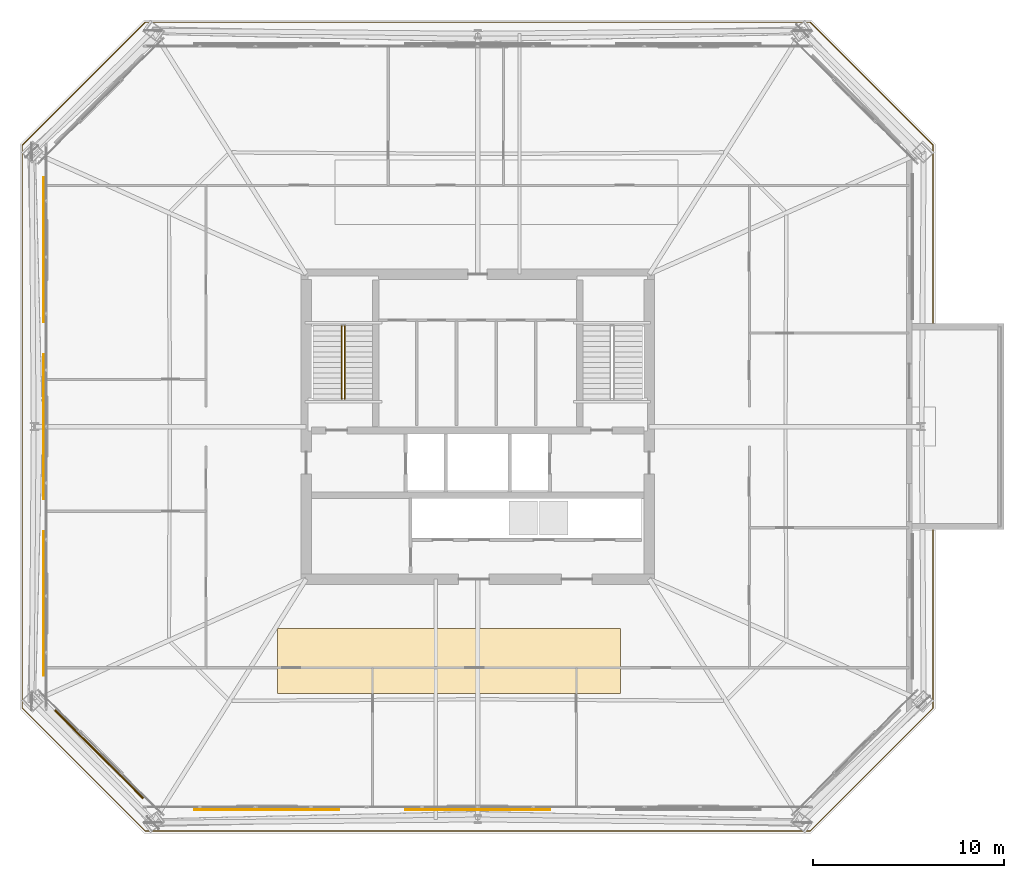
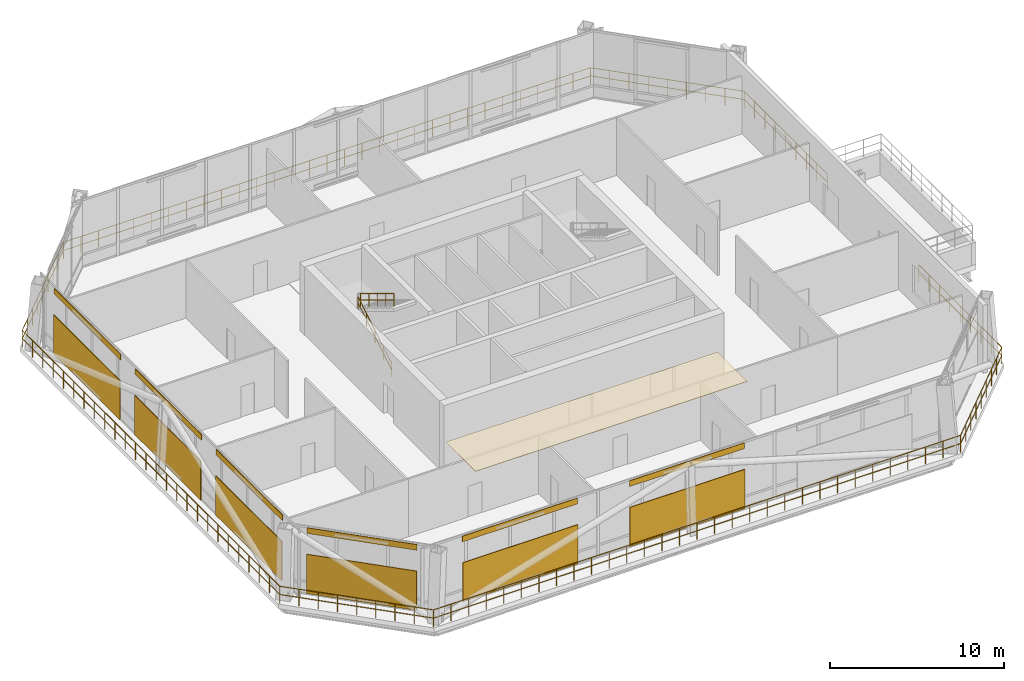
# One storey, part 31 of 34: 7 coverings, 6 shading devices, 3 railings.
"""IFC4 building model written with IfcOpenShell, lengths in metres."""

from ifc_helpers import new_model, si_unit, direction, frame, origin, origin_2d, place, context, subcontext, project, spatial, polyline, rectangle, circle, outline, extrude, material, layer, layer_set, type_object, element, save


model = new_model("IFC4")

# Units and contexts
model_context = context("Model", 3, precision=1e-05, world=origin(), true_north=direction((0.0, 1.0)))
body_context = subcontext(model_context, "Body", "Model", "MODEL_VIEW")
ifc_project = project(units=[si_unit("LENGTHUNIT", "METRE"), si_unit("AREAUNIT", "SQUARE_METRE"), si_unit("VOLUMEUNIT", "CUBIC_METRE"), si_unit("PLANEANGLEUNIT", "RADIAN"), si_unit("MASSUNIT", "GRAM", prefix="KILO")], contexts=[model_context])

# Site, building, storey
site_placement = place(None, origin())
site = spatial("IfcSite", under=ifc_project, at=site_placement, CompositionType="ELEMENT")
building_placement = place(site_placement, origin())
building = spatial("IfcBuilding", under=site, at=building_placement, Name="Caelvoria Tower", CompositionType="ELEMENT")
storey_placement = place(building_placement, frame((0.0, 0.0, 172.0)))
storey = spatial("IfcBuildingStorey", under=building, at=storey_placement, Name="L45", CompositionType="ELEMENT", Elevation=172.0)

# Coverings
ifc_material_1 = material(Name="Acoustic Mineral Fibre Tile", Category="gypsum")
ifc_layer_1 = layer(ifc_material_1, 0.02490234375, Name="Acoustic Mineral Fibre Tile")
ifc_layer_set_1 = layer_set([ifc_layer_1], Name="Mineral-Fibre Acoustic Suspended Ceiling 25 - Acoustic Mineral Fibre Tile")
covering_type_1 = type_object("IfcCoveringType", Name="Mineral-Fibre Acoustic Suspended Ceiling 25", PredefinedType="CEILING", material=ifc_layer_set_1)
covering_1_placement = place(storey_placement, frame((0.0, 0.0, 4.034912109375)))
element("IfcCovering", 1, at=covering_1_placement, inside=storey, type_object=covering_type_1, Name="Suspended Acoustic Ceiling L45", PredefinedType="CEILING", context=body_context, shape_type="SweptSolid", body=[
    extrude(outline(polyline([(35.5, 18.0), (53.5, 18.0), (53.5, 21.39990234375), (35.5, 21.39990234375), (35.5, 18.0)])), origin(), (0.0, 0.0, 1.0), 0.025146484375),
])
ifc_material_2 = material(Name="Perforated Architectural Bronze Cladding Screen", Category="bronze")
ifc_layer_2 = layer(ifc_material_2, 0.0400390625, Name="Perforated Architectural Bronze Cladding Screen")
ifc_layer_set_2 = layer_set([ifc_layer_2], Name="Perforated Bronze Louvre Cladding Band 40 - Perforated Architectural Bronze Cladding Screen")
covering_type_2 = type_object("IfcCoveringType", Name="Perforated Bronze Louvre Cladding Band 40", PredefinedType="CLADDING", material=ifc_layer_set_2)
for number, where, z_axis, x_axis, name in (
    (2, (34.933349609375, 11.93798828125, 4.340087890625), (0.0, 0.0, 1.0), (1.0, 0.0, 0.0), "Perforated Bronze Screen Band L45-E0-00"),
    (3, (46.0, 11.93798828125, 4.340087890625), (0.0, 0.0, 1.0), (1.0, 0.0, 0.0), "Perforated Bronze Screen Band L45-E0-01"),
    (4, (23.258056640625, 41.280029296875, 4.340087890625), (0.0, 0.0, 1.0), (0.0, -1.0, 0.0), "Perforated Bronze Screen Band L45-E6-00"),
    (5, (23.258056640625, 32.0, 4.340087890625), (0.0, 0.0, 1.0), (0.0, -1.0, 0.0), "Perforated Bronze Screen Band L45-E6-01"),
    (6, (23.258056640625, 22.719970703125, 4.340087890625), (0.0, 0.0, 1.0), (0.0, -1.0, 0.0), "Perforated Bronze Screen Band L45-E6-02"),
):
    element("IfcCovering", number, at=place(storey_placement, frame(where, z_axis=z_axis, x_axis=x_axis)), inside=storey, type_object=covering_type_2, Name=name, PredefinedType="CLADDING", context=body_context, shape_type="SweptSolid", body=[
        extrude(rectangle(XDim=7.60009765625, YDim=0.0400390625, at=origin_2d()), origin(), (0.0, 0.0, 1.0), 0.39990234375),
    ])
covering_2_placement = place(storey_placement, frame((26.143798828125, 14.82373046875, 4.340087890625), z_axis=(0.0, 0.0, 1.0), x_axis=(0.707106781187, -0.707106781187, 0.0)))
element("IfcCovering", 7, at=covering_2_placement, inside=storey, type_object=covering_type_2, Name="Perforated Bronze Screen Band L45-E7-00", PredefinedType="CLADDING", context=body_context, shape_type="SweptSolid", body=[
    extrude(rectangle(XDim=6.5302734375, YDim=0.0400390625, at=origin_2d()), origin(), (0.0, 0.0, 1.0), 0.39990234375),
])

# Shading devices
ifc_material_3 = material(Name="Perforated Architectural Bronze Alloy Panel", Category="bronze")
ifc_layer_3 = layer(ifc_material_3, 0.044921875, Name="Perforated Architectural Bronze Alloy Panel")
ifc_layer_set_3 = layer_set([ifc_layer_3], Name="Perforated Bronze Solar Screen Panel SCREEN - Perforated Architectural Bronze Alloy Panel")
shading_device_type = type_object("IfcShadingDeviceType", Name="Perforated Bronze Solar Screen Panel SCREEN", PredefinedType="USERDEFINED", material=ifc_layer_set_3)
for number, where, z_axis, x_axis, name in (
    (8, (34.933349609375, 11.89501953125, 0.159912109375), (0.0, 0.0, 1.0), (1.0, 0.0, 0.0), "Perforated Bronze Solar Screen L45-E0-00"),
    (9, (46.0, 11.89501953125, 0.159912109375), (0.0, 0.0, 1.0), (1.0, 0.0, 0.0), "Perforated Bronze Solar Screen L45-E0-01"),
    (10, (23.215087890625, 41.280029296875, 0.159912109375), (0.0, 0.0, 1.0), (0.0, -1.0, 0.0), "Perforated Bronze Solar Screen L45-E6-00"),
    (11, (23.215087890625, 32.0, 0.159912109375), (0.0, 0.0, 1.0), (0.0, -1.0, 0.0), "Perforated Bronze Solar Screen L45-E6-01"),
    (12, (23.215087890625, 22.719970703125, 0.159912109375), (0.0, 0.0, 1.0), (0.0, -1.0, 0.0), "Perforated Bronze Solar Screen L45-E6-02"),
):
    element("IfcShadingDevice", number, at=place(storey_placement, frame(where, z_axis=z_axis, x_axis=x_axis)), inside=storey, type_object=shading_device_type, Name=name, ObjectType="SCREEN", PredefinedType="USERDEFINED", context=body_context, shape_type="SweptSolid", body=[
        extrude(rectangle(XDim=7.60009765625, YDim=0.044921875, at=origin_2d()), origin(), (0.0, 0.0, 1.0), 2.75),
    ])
shading_device_placement = place(storey_placement, frame((26.11328125, 14.793212890625, 0.159912109375), z_axis=(0.0, 0.0, 1.0), x_axis=(0.707106781187, -0.707106781187, 0.0)))
element("IfcShadingDevice", 13, at=shading_device_placement, inside=storey, type_object=shading_device_type, Name="Perforated Bronze Solar Screen L45-E7-00", ObjectType="SCREEN", PredefinedType="USERDEFINED", context=body_context, shape_type="SweptSolid", body=[
    extrude(rectangle(XDim=6.5302734375, YDim=0.044921875, at=origin_2d()), origin(), (0.0, 0.0, 1.0), 2.75),
])

# Railings
ifc_material_4 = material(Name="Laminated Structural Glass and Bronze Cap Rail", Category="glass")
railing_type_1 = type_object("IfcRailingType", Name="Sky Pool and Podium Glazed Balustrade 1200", PredefinedType="BALUSTRADE", material=ifc_material_4)
railing_1_placement = place(storey_placement, frame((69.89990234375, 37.239990234375, 0.0)))
element("IfcRailing", 14, at=railing_1_placement, inside=storey, type_object=railing_type_1, Name="Sky Lobby L45 Perimeter Maintenance Balustrade", PredefinedType="BALUSTRADE", context=body_context, shape_type="SweptSolid", body=[
    extrude(circle(Radius=0.02392578125, at=origin_2d()), frame((0.0, 0.0, 1.17578125), z_axis=(0.0, 1.0, 0.0), x_axis=(-1.0, 0.0, 0.0)), (0.0, 0.0, 1.0), 9.5302734375),
    extrude(circle(Radius=0.02392578125, at=origin_2d()), frame((0.0, 0.0, 0.60009765625), z_axis=(0.0, 1.0, 0.0), x_axis=(-1.0, 0.0, 0.0)), (0.0, 0.0, 1.0), 9.5302734375),
    extrude(circle(Radius=0.02392578125, at=origin_2d()), frame((0.0, 9.5302734375, 1.17578125), z_axis=(-0.707106781187, 0.707106781187, 0.0), x_axis=(-0.707106781187, -0.707106781187, 0.0)), (0.0, 0.0, 1.0), 9.121337890625),
    extrude(circle(Radius=0.02392578125, at=origin_2d()), frame((0.0, 9.5302734375, 0.60009765625), z_axis=(-0.707106781187, 0.707106781187, 0.0), x_axis=(-0.707106781187, -0.707106781187, 0.0)), (0.0, 0.0, 1.0), 9.121337890625),
    extrude(circle(Radius=0.02392578125, at=origin_2d()), frame((-6.44970703125, 15.97998046875, 1.17578125), z_axis=(-1.0, 0.0, 0.0), x_axis=(0.0, -1.0, 0.0)), (0.0, 0.0, 1.0), 34.900390625),
    extrude(circle(Radius=0.02392578125, at=origin_2d()), frame((-6.44970703125, 15.97998046875, 0.60009765625), z_axis=(-1.0, 0.0, 0.0), x_axis=(0.0, -1.0, 0.0)), (0.0, 0.0, 1.0), 34.900390625),
    extrude(circle(Radius=0.02392578125, at=origin_2d()), frame((-41.35009765625, 15.97998046875, 1.17578125), z_axis=(-0.707106781187, -0.707106781187, 0.0), x_axis=(0.707106781187, -0.707106781187, 0.0)), (0.0, 0.0, 1.0), 9.121337890625),
    extrude(circle(Radius=0.02392578125, at=origin_2d()), frame((-41.35009765625, 15.97998046875, 0.60009765625), z_axis=(-0.707106781187, -0.707106781187, 0.0), x_axis=(0.707106781187, -0.707106781187, 0.0)), (0.0, 0.0, 1.0), 9.121337890625),
    extrude(circle(Radius=0.02392578125, at=origin_2d()), frame((-47.7998046875, 9.5302734375, 1.17578125), z_axis=(0.0, -1.0, 0.0), x_axis=(1.0, 0.0, 0.0)), (0.0, 0.0, 1.0), 29.54052734375),
    extrude(circle(Radius=0.02392578125, at=origin_2d()), frame((-47.7998046875, 9.5302734375, 0.60009765625), z_axis=(0.0, -1.0, 0.0), x_axis=(1.0, 0.0, 0.0)), (0.0, 0.0, 1.0), 29.54052734375),
    extrude(circle(Radius=0.02392578125, at=origin_2d()), frame((-47.7998046875, -20.01025390625, 1.17578125), z_axis=(0.707106781187, -0.707106781187, 0.0), x_axis=(0.707106781187, 0.707106781187, 0.0)), (0.0, 0.0, 1.0), 9.121337890625),
    extrude(circle(Radius=0.02392578125, at=origin_2d()), frame((-47.7998046875, -20.01025390625, 0.60009765625), z_axis=(0.707106781187, -0.707106781187, 0.0), x_axis=(0.707106781187, 0.707106781187, 0.0)), (0.0, 0.0, 1.0), 9.121337890625),
    extrude(circle(Radius=0.02392578125, at=origin_2d()), frame((-41.35009765625, -26.4599609375, 1.17578125), z_axis=(1.0, 0.0, 0.0), x_axis=(0.0, 1.0, 0.0)), (0.0, 0.0, 1.0), 34.900390625),
    extrude(circle(Radius=0.02392578125, at=origin_2d()), frame((-41.35009765625, -26.4599609375, 0.60009765625), z_axis=(1.0, 0.0, 0.0), x_axis=(0.0, 1.0, 0.0)), (0.0, 0.0, 1.0), 34.900390625),
    extrude(circle(Radius=0.02392578125, at=origin_2d()), frame((-6.44970703125, -26.4599609375, 1.17578125), z_axis=(0.707106781187, 0.707106781187, 0.0), x_axis=(-0.707106781187, 0.707106781187, 0.0)), (0.0, 0.0, 1.0), 9.121337890625),
    extrude(circle(Radius=0.02392578125, at=origin_2d()), frame((-6.44970703125, -26.4599609375, 0.60009765625), z_axis=(0.707106781187, 0.707106781187, 0.0), x_axis=(-0.707106781187, 0.707106781187, 0.0)), (0.0, 0.0, 1.0), 9.121337890625),
    extrude(circle(Radius=0.02392578125, at=origin_2d()), frame((0.0, -20.01025390625, 1.17578125), z_axis=(0.0, 1.0, 0.0), x_axis=(-1.0, 0.0, 0.0)), (0.0, 0.0, 1.0), 9.5302734375),
    extrude(circle(Radius=0.02392578125, at=origin_2d()), frame((0.0, -20.01025390625, 0.60009765625), z_axis=(0.0, 1.0, 0.0), x_axis=(-1.0, 0.0, 0.0)), (0.0, 0.0, 1.0), 9.5302734375),
    extrude(circle(Radius=0.02099609375, at=origin_2d()), origin(), (0.0, 0.0, 1.0), 1.15185546875),
    extrude(circle(Radius=0.02099609375, at=origin_2d()), frame((0.0, 1.19140625, 0.0)), (0.0, 0.0, 1.0), 1.15185546875),
    extrude(circle(Radius=0.02099609375, at=origin_2d()), frame((0.0, 2.382568359375, 0.0)), (0.0, 0.0, 1.0), 1.15185546875),
    extrude(circle(Radius=0.02099609375, at=origin_2d()), frame((0.0, 3.57373046875, 0.0)), (0.0, 0.0, 1.0), 1.15185546875),
    extrude(circle(Radius=0.02099609375, at=origin_2d()), frame((0.0, 4.76513671875, 0.0)), (0.0, 0.0, 1.0), 1.15185546875),
    extrude(circle(Radius=0.02099609375, at=origin_2d()), frame((0.0, 5.95654296875, 0.0)), (0.0, 0.0, 1.0), 1.15185546875),
    extrude(circle(Radius=0.02099609375, at=origin_2d()), frame((0.0, 7.147705078125, 0.0)), (0.0, 0.0, 1.0), 1.15185546875),
    extrude(circle(Radius=0.02099609375, at=origin_2d()), frame((0.0, 8.3388671875, 0.0)), (0.0, 0.0, 1.0), 1.15185546875),
    extrude(circle(Radius=0.02099609375, at=origin_2d()), frame((0.0, 9.5302734375, 0.0)), (0.0, 0.0, 1.0), 1.15185546875),
    extrude(circle(Radius=0.02099609375, at=origin_2d()), frame((-0.80615234375, 10.33642578125, 0.0)), (0.0, 0.0, 1.0), 1.15185546875),
    extrude(circle(Radius=0.02099609375, at=origin_2d()), frame((-1.6123046875, 11.142578125, 0.0)), (0.0, 0.0, 1.0), 1.15185546875),
    extrude(circle(Radius=0.02099609375, at=origin_2d()), frame((-2.418701171875, 11.948974609375, 0.0)), (0.0, 0.0, 1.0), 1.15185546875),
    extrude(circle(Radius=0.02099609375, at=origin_2d()), frame((-3.224853515625, 12.755126953125, 0.0)), (0.0, 0.0, 1.0), 1.15185546875),
    extrude(circle(Radius=0.02099609375, at=origin_2d()), frame((-4.031005859375, 13.561279296875, 0.0)), (0.0, 0.0, 1.0), 1.15185546875),
    extrude(circle(Radius=0.02099609375, at=origin_2d()), frame((-4.83740234375, 14.36767578125, 0.0)), (0.0, 0.0, 1.0), 1.15185546875),
    extrude(circle(Radius=0.02099609375, at=origin_2d()), frame((-5.6435546875, 15.173828125, 0.0)), (0.0, 0.0, 1.0), 1.15185546875),
    extrude(circle(Radius=0.02099609375, at=origin_2d()), frame((-6.44970703125, 15.97998046875, 0.0)), (0.0, 0.0, 1.0), 1.15185546875),
    extrude(circle(Radius=0.02099609375, at=origin_2d()), frame((-7.613037109375, 15.97998046875, 0.0)), (0.0, 0.0, 1.0), 1.15185546875),
    extrude(circle(Radius=0.02099609375, at=origin_2d()), frame((-8.7763671875, 15.97998046875, 0.0)), (0.0, 0.0, 1.0), 1.15185546875),
    extrude(circle(Radius=0.02099609375, at=origin_2d()), frame((-9.939697265625, 15.97998046875, 0.0)), (0.0, 0.0, 1.0), 1.15185546875),
    extrude(circle(Radius=0.02099609375, at=origin_2d()), frame((-11.10302734375, 15.97998046875, 0.0)), (0.0, 0.0, 1.0), 1.15185546875),
    extrude(circle(Radius=0.02099609375, at=origin_2d()), frame((-12.266357421875, 15.97998046875, 0.0)), (0.0, 0.0, 1.0), 1.15185546875),
    extrude(circle(Radius=0.02099609375, at=origin_2d()), frame((-13.4296875, 15.97998046875, 0.0)), (0.0, 0.0, 1.0), 1.15185546875),
    extrude(circle(Radius=0.02099609375, at=origin_2d()), frame((-14.593017578125, 15.97998046875, 0.0)), (0.0, 0.0, 1.0), 1.15185546875),
    extrude(circle(Radius=0.02099609375, at=origin_2d()), frame((-15.756591796875, 15.97998046875, 0.0)), (0.0, 0.0, 1.0), 1.15185546875),
    extrude(circle(Radius=0.02099609375, at=origin_2d()), frame((-16.919921875, 15.97998046875, 0.0)), (0.0, 0.0, 1.0), 1.15185546875),
    extrude(circle(Radius=0.02099609375, at=origin_2d()), frame((-18.083251953125, 15.97998046875, 0.0)), (0.0, 0.0, 1.0), 1.15185546875),
    extrude(circle(Radius=0.02099609375, at=origin_2d()), frame((-19.24658203125, 15.97998046875, 0.0)), (0.0, 0.0, 1.0), 1.15185546875),
    extrude(circle(Radius=0.02099609375, at=origin_2d()), frame((-20.409912109375, 15.97998046875, 0.0)), (0.0, 0.0, 1.0), 1.15185546875),
    extrude(circle(Radius=0.02099609375, at=origin_2d()), frame((-21.5732421875, 15.97998046875, 0.0)), (0.0, 0.0, 1.0), 1.15185546875),
    extrude(circle(Radius=0.02099609375, at=origin_2d()), frame((-22.736572265625, 15.97998046875, 0.0)), (0.0, 0.0, 1.0), 1.15185546875),
    extrude(circle(Radius=0.02099609375, at=origin_2d()), frame((-23.89990234375, 15.97998046875, 0.0)), (0.0, 0.0, 1.0), 1.15185546875),
    extrude(circle(Radius=0.02099609375, at=origin_2d()), frame((-25.063232421875, 15.97998046875, 0.0)), (0.0, 0.0, 1.0), 1.15185546875),
    extrude(circle(Radius=0.02099609375, at=origin_2d()), frame((-26.2265625, 15.97998046875, 0.0)), (0.0, 0.0, 1.0), 1.15185546875),
    extrude(circle(Radius=0.02099609375, at=origin_2d()), frame((-27.389892578125, 15.97998046875, 0.0)), (0.0, 0.0, 1.0), 1.15185546875),
    extrude(circle(Radius=0.02099609375, at=origin_2d()), frame((-28.55322265625, 15.97998046875, 0.0)), (0.0, 0.0, 1.0), 1.15185546875),
    extrude(circle(Radius=0.02099609375, at=origin_2d()), frame((-29.716552734375, 15.97998046875, 0.0)), (0.0, 0.0, 1.0), 1.15185546875),
    extrude(circle(Radius=0.02099609375, at=origin_2d()), frame((-30.8798828125, 15.97998046875, 0.0)), (0.0, 0.0, 1.0), 1.15185546875),
    extrude(circle(Radius=0.02099609375, at=origin_2d()), frame((-32.043212890625, 15.97998046875, 0.0)), (0.0, 0.0, 1.0), 1.15185546875),
    extrude(circle(Radius=0.02099609375, at=origin_2d()), frame((-33.206787109375, 15.97998046875, 0.0)), (0.0, 0.0, 1.0), 1.15185546875),
    extrude(circle(Radius=0.02099609375, at=origin_2d()), frame((-34.3701171875, 15.97998046875, 0.0)), (0.0, 0.0, 1.0), 1.15185546875),
    extrude(circle(Radius=0.02099609375, at=origin_2d()), frame((-35.533447265625, 15.97998046875, 0.0)), (0.0, 0.0, 1.0), 1.15185546875),
    extrude(circle(Radius=0.02099609375, at=origin_2d()), frame((-36.69677734375, 15.97998046875, 0.0)), (0.0, 0.0, 1.0), 1.15185546875),
    extrude(circle(Radius=0.02099609375, at=origin_2d()), frame((-37.860107421875, 15.97998046875, 0.0)), (0.0, 0.0, 1.0), 1.15185546875),
    extrude(circle(Radius=0.02099609375, at=origin_2d()), frame((-39.0234375, 15.97998046875, 0.0)), (0.0, 0.0, 1.0), 1.15185546875),
    extrude(circle(Radius=0.02099609375, at=origin_2d()), frame((-40.186767578125, 15.97998046875, 0.0)), (0.0, 0.0, 1.0), 1.15185546875),
    extrude(circle(Radius=0.02099609375, at=origin_2d()), frame((-41.35009765625, 15.97998046875, 0.0)), (0.0, 0.0, 1.0), 1.15185546875),
    extrude(circle(Radius=0.02099609375, at=origin_2d()), frame((-42.15625, 15.173828125, 0.0)), (0.0, 0.0, 1.0), 1.15185546875),
    extrude(circle(Radius=0.02099609375, at=origin_2d()), frame((-42.96240234375, 14.36767578125, 0.0)), (0.0, 0.0, 1.0), 1.15185546875),
    extrude(circle(Radius=0.02099609375, at=origin_2d()), frame((-43.768798828125, 13.561279296875, 0.0)), (0.0, 0.0, 1.0), 1.15185546875),
    extrude(circle(Radius=0.02099609375, at=origin_2d()), frame((-44.574951171875, 12.755126953125, 0.0)), (0.0, 0.0, 1.0), 1.15185546875),
    extrude(circle(Radius=0.02099609375, at=origin_2d()), frame((-45.381103515625, 11.948974609375, 0.0)), (0.0, 0.0, 1.0), 1.15185546875),
    extrude(circle(Radius=0.02099609375, at=origin_2d()), frame((-46.1875, 11.142578125, 0.0)), (0.0, 0.0, 1.0), 1.15185546875),
    extrude(circle(Radius=0.02099609375, at=origin_2d()), frame((-46.99365234375, 10.33642578125, 0.0)), (0.0, 0.0, 1.0), 1.15185546875),
    extrude(circle(Radius=0.02099609375, at=origin_2d()), frame((-47.7998046875, 9.5302734375, 0.0)), (0.0, 0.0, 1.0), 1.15185546875),
    extrude(circle(Radius=0.02099609375, at=origin_2d()), frame((-47.7998046875, 8.3486328125, 0.0)), (0.0, 0.0, 1.0), 1.15185546875),
    extrude(circle(Radius=0.02099609375, at=origin_2d()), frame((-47.7998046875, 7.1669921875, 0.0)), (0.0, 0.0, 1.0), 1.15185546875),
    extrude(circle(Radius=0.02099609375, at=origin_2d()), frame((-47.7998046875, 5.9853515625, 0.0)), (0.0, 0.0, 1.0), 1.15185546875),
    extrude(circle(Radius=0.02099609375, at=origin_2d()), frame((-47.7998046875, 4.8037109375, 0.0)), (0.0, 0.0, 1.0), 1.15185546875),
    extrude(circle(Radius=0.02099609375, at=origin_2d()), frame((-47.7998046875, 3.6220703125, 0.0)), (0.0, 0.0, 1.0), 1.15185546875),
    extrude(circle(Radius=0.02099609375, at=origin_2d()), frame((-47.7998046875, 2.4404296875, 0.0)), (0.0, 0.0, 1.0), 1.15185546875),
    extrude(circle(Radius=0.02099609375, at=origin_2d()), frame((-47.7998046875, 1.259033203125, 0.0)), (0.0, 0.0, 1.0), 1.15185546875),
    extrude(circle(Radius=0.02099609375, at=origin_2d()), frame((-47.7998046875, 0.077392578125, 0.0)), (0.0, 0.0, 1.0), 1.15185546875),
    extrude(circle(Radius=0.02099609375, at=origin_2d()), frame((-47.7998046875, -1.104248046875, 0.0)), (0.0, 0.0, 1.0), 1.15185546875),
    extrude(circle(Radius=0.02099609375, at=origin_2d()), frame((-47.7998046875, -2.285888671875, 0.0)), (0.0, 0.0, 1.0), 1.15185546875),
    extrude(circle(Radius=0.02099609375, at=origin_2d()), frame((-47.7998046875, -3.467529296875, 0.0)), (0.0, 0.0, 1.0), 1.15185546875),
    extrude(circle(Radius=0.02099609375, at=origin_2d()), frame((-47.7998046875, -4.649169921875, 0.0)), (0.0, 0.0, 1.0), 1.15185546875),
    extrude(circle(Radius=0.02099609375, at=origin_2d()), frame((-47.7998046875, -5.830810546875, 0.0)), (0.0, 0.0, 1.0), 1.15185546875),
    extrude(circle(Radius=0.02099609375, at=origin_2d()), frame((-47.7998046875, -7.012451171875, 0.0)), (0.0, 0.0, 1.0), 1.15185546875),
    extrude(circle(Radius=0.02099609375, at=origin_2d()), frame((-47.7998046875, -8.194091796875, 0.0)), (0.0, 0.0, 1.0), 1.15185546875),
    extrude(circle(Radius=0.02099609375, at=origin_2d()), frame((-47.7998046875, -9.375732421875, 0.0)), (0.0, 0.0, 1.0), 1.15185546875),
    extrude(circle(Radius=0.02099609375, at=origin_2d()), frame((-47.7998046875, -10.557373046875, 0.0)), (0.0, 0.0, 1.0), 1.15185546875),
    extrude(circle(Radius=0.02099609375, at=origin_2d()), frame((-47.7998046875, -11.739013671875, 0.0)), (0.0, 0.0, 1.0), 1.15185546875),
    extrude(circle(Radius=0.02099609375, at=origin_2d()), frame((-47.7998046875, -12.92041015625, 0.0)), (0.0, 0.0, 1.0), 1.15185546875),
    extrude(circle(Radius=0.02099609375, at=origin_2d()), frame((-47.7998046875, -14.10205078125, 0.0)), (0.0, 0.0, 1.0), 1.15185546875),
    extrude(circle(Radius=0.02099609375, at=origin_2d()), frame((-47.7998046875, -15.28369140625, 0.0)), (0.0, 0.0, 1.0), 1.15185546875),
    extrude(circle(Radius=0.02099609375, at=origin_2d()), frame((-47.7998046875, -16.46533203125, 0.0)), (0.0, 0.0, 1.0), 1.15185546875),
    extrude(circle(Radius=0.02099609375, at=origin_2d()), frame((-47.7998046875, -17.64697265625, 0.0)), (0.0, 0.0, 1.0), 1.15185546875),
    extrude(circle(Radius=0.02099609375, at=origin_2d()), frame((-47.7998046875, -18.82861328125, 0.0)), (0.0, 0.0, 1.0), 1.15185546875),
    extrude(circle(Radius=0.02099609375, at=origin_2d()), frame((-47.7998046875, -20.01025390625, 0.0)), (0.0, 0.0, 1.0), 1.15185546875),
    extrude(circle(Radius=0.02099609375, at=origin_2d()), frame((-46.99365234375, -20.81640625, 0.0)), (0.0, 0.0, 1.0), 1.15185546875),
    extrude(circle(Radius=0.02099609375, at=origin_2d()), frame((-46.1875, -21.62255859375, 0.0)), (0.0, 0.0, 1.0), 1.15185546875),
    extrude(circle(Radius=0.02099609375, at=origin_2d()), frame((-45.381103515625, -22.428955078125, 0.0)), (0.0, 0.0, 1.0), 1.15185546875),
    extrude(circle(Radius=0.02099609375, at=origin_2d()), frame((-44.574951171875, -23.235107421875, 0.0)), (0.0, 0.0, 1.0), 1.15185546875),
    extrude(circle(Radius=0.02099609375, at=origin_2d()), frame((-43.768798828125, -24.041259765625, 0.0)), (0.0, 0.0, 1.0), 1.15185546875),
    extrude(circle(Radius=0.02099609375, at=origin_2d()), frame((-42.96240234375, -24.84765625, 0.0)), (0.0, 0.0, 1.0), 1.15185546875),
    extrude(circle(Radius=0.02099609375, at=origin_2d()), frame((-42.15625, -25.65380859375, 0.0)), (0.0, 0.0, 1.0), 1.15185546875),
    extrude(circle(Radius=0.02099609375, at=origin_2d()), frame((-41.35009765625, -26.4599609375, 0.0)), (0.0, 0.0, 1.0), 1.15185546875),
    extrude(circle(Radius=0.02099609375, at=origin_2d()), frame((-40.186767578125, -26.4599609375, 0.0)), (0.0, 0.0, 1.0), 1.15185546875),
    extrude(circle(Radius=0.02099609375, at=origin_2d()), frame((-39.0234375, -26.4599609375, 0.0)), (0.0, 0.0, 1.0), 1.15185546875),
    extrude(circle(Radius=0.02099609375, at=origin_2d()), frame((-37.860107421875, -26.4599609375, 0.0)), (0.0, 0.0, 1.0), 1.15185546875),
    extrude(circle(Radius=0.02099609375, at=origin_2d()), frame((-36.69677734375, -26.4599609375, 0.0)), (0.0, 0.0, 1.0), 1.15185546875),
    extrude(circle(Radius=0.02099609375, at=origin_2d()), frame((-35.533447265625, -26.4599609375, 0.0)), (0.0, 0.0, 1.0), 1.15185546875),
    extrude(circle(Radius=0.02099609375, at=origin_2d()), frame((-34.3701171875, -26.4599609375, 0.0)), (0.0, 0.0, 1.0), 1.15185546875),
    extrude(circle(Radius=0.02099609375, at=origin_2d()), frame((-33.206787109375, -26.4599609375, 0.0)), (0.0, 0.0, 1.0), 1.15185546875),
    extrude(circle(Radius=0.02099609375, at=origin_2d()), frame((-32.043212890625, -26.4599609375, 0.0)), (0.0, 0.0, 1.0), 1.15185546875),
    extrude(circle(Radius=0.02099609375, at=origin_2d()), frame((-30.8798828125, -26.4599609375, 0.0)), (0.0, 0.0, 1.0), 1.15185546875),
    extrude(circle(Radius=0.02099609375, at=origin_2d()), frame((-29.716552734375, -26.4599609375, 0.0)), (0.0, 0.0, 1.0), 1.15185546875),
    extrude(circle(Radius=0.02099609375, at=origin_2d()), frame((-28.55322265625, -26.4599609375, 0.0)), (0.0, 0.0, 1.0), 1.15185546875),
    extrude(circle(Radius=0.02099609375, at=origin_2d()), frame((-27.389892578125, -26.4599609375, 0.0)), (0.0, 0.0, 1.0), 1.15185546875),
    extrude(circle(Radius=0.02099609375, at=origin_2d()), frame((-26.2265625, -26.4599609375, 0.0)), (0.0, 0.0, 1.0), 1.15185546875),
    extrude(circle(Radius=0.02099609375, at=origin_2d()), frame((-25.063232421875, -26.4599609375, 0.0)), (0.0, 0.0, 1.0), 1.15185546875),
    extrude(circle(Radius=0.02099609375, at=origin_2d()), frame((-23.89990234375, -26.4599609375, 0.0)), (0.0, 0.0, 1.0), 1.15185546875),
    extrude(circle(Radius=0.02099609375, at=origin_2d()), frame((-22.736572265625, -26.4599609375, 0.0)), (0.0, 0.0, 1.0), 1.15185546875),
    extrude(circle(Radius=0.02099609375, at=origin_2d()), frame((-21.5732421875, -26.4599609375, 0.0)), (0.0, 0.0, 1.0), 1.15185546875),
    extrude(circle(Radius=0.02099609375, at=origin_2d()), frame((-20.409912109375, -26.4599609375, 0.0)), (0.0, 0.0, 1.0), 1.15185546875),
    extrude(circle(Radius=0.02099609375, at=origin_2d()), frame((-19.24658203125, -26.4599609375, 0.0)), (0.0, 0.0, 1.0), 1.15185546875),
    extrude(circle(Radius=0.02099609375, at=origin_2d()), frame((-18.083251953125, -26.4599609375, 0.0)), (0.0, 0.0, 1.0), 1.15185546875),
    extrude(circle(Radius=0.02099609375, at=origin_2d()), frame((-16.919921875, -26.4599609375, 0.0)), (0.0, 0.0, 1.0), 1.15185546875),
    extrude(circle(Radius=0.02099609375, at=origin_2d()), frame((-15.756591796875, -26.4599609375, 0.0)), (0.0, 0.0, 1.0), 1.15185546875),
    extrude(circle(Radius=0.02099609375, at=origin_2d()), frame((-14.593017578125, -26.4599609375, 0.0)), (0.0, 0.0, 1.0), 1.15185546875),
    extrude(circle(Radius=0.02099609375, at=origin_2d()), frame((-13.4296875, -26.4599609375, 0.0)), (0.0, 0.0, 1.0), 1.15185546875),
    extrude(circle(Radius=0.02099609375, at=origin_2d()), frame((-12.266357421875, -26.4599609375, 0.0)), (0.0, 0.0, 1.0), 1.15185546875),
    extrude(circle(Radius=0.02099609375, at=origin_2d()), frame((-11.10302734375, -26.4599609375, 0.0)), (0.0, 0.0, 1.0), 1.15185546875),
    extrude(circle(Radius=0.02099609375, at=origin_2d()), frame((-9.939697265625, -26.4599609375, 0.0)), (0.0, 0.0, 1.0), 1.15185546875),
    extrude(circle(Radius=0.02099609375, at=origin_2d()), frame((-8.7763671875, -26.4599609375, 0.0)), (0.0, 0.0, 1.0), 1.15185546875),
    extrude(circle(Radius=0.02099609375, at=origin_2d()), frame((-7.613037109375, -26.4599609375, 0.0)), (0.0, 0.0, 1.0), 1.15185546875),
    extrude(circle(Radius=0.02099609375, at=origin_2d()), frame((-6.44970703125, -26.4599609375, 0.0)), (0.0, 0.0, 1.0), 1.15185546875),
    extrude(circle(Radius=0.02099609375, at=origin_2d()), frame((-5.6435546875, -25.65380859375, 0.0)), (0.0, 0.0, 1.0), 1.15185546875),
    extrude(circle(Radius=0.02099609375, at=origin_2d()), frame((-4.83740234375, -24.84765625, 0.0)), (0.0, 0.0, 1.0), 1.15185546875),
    extrude(circle(Radius=0.02099609375, at=origin_2d()), frame((-4.031005859375, -24.041259765625, 0.0)), (0.0, 0.0, 1.0), 1.15185546875),
    extrude(circle(Radius=0.02099609375, at=origin_2d()), frame((-3.224853515625, -23.235107421875, 0.0)), (0.0, 0.0, 1.0), 1.15185546875),
    extrude(circle(Radius=0.02099609375, at=origin_2d()), frame((-2.418701171875, -22.428955078125, 0.0)), (0.0, 0.0, 1.0), 1.15185546875),
    extrude(circle(Radius=0.02099609375, at=origin_2d()), frame((-1.6123046875, -21.62255859375, 0.0)), (0.0, 0.0, 1.0), 1.15185546875),
    extrude(circle(Radius=0.02099609375, at=origin_2d()), frame((-0.80615234375, -20.81640625, 0.0)), (0.0, 0.0, 1.0), 1.15185546875),
    extrude(circle(Radius=0.02099609375, at=origin_2d()), frame((0.0, -20.01025390625, 0.0)), (0.0, 0.0, 1.0), 1.15185546875),
    extrude(circle(Radius=0.02099609375, at=origin_2d()), frame((0.0, -18.81884765625, 0.0)), (0.0, 0.0, 1.0), 1.15185546875),
    extrude(circle(Radius=0.02099609375, at=origin_2d()), frame((0.0, -17.627685546875, 0.0)), (0.0, 0.0, 1.0), 1.15185546875),
    extrude(circle(Radius=0.02099609375, at=origin_2d()), frame((0.0, -16.4365234375, 0.0)), (0.0, 0.0, 1.0), 1.15185546875),
    extrude(circle(Radius=0.02099609375, at=origin_2d()), frame((0.0, -15.2451171875, 0.0)), (0.0, 0.0, 1.0), 1.15185546875),
    extrude(circle(Radius=0.02099609375, at=origin_2d()), frame((0.0, -14.0537109375, 0.0)), (0.0, 0.0, 1.0), 1.15185546875),
    extrude(circle(Radius=0.02099609375, at=origin_2d()), frame((0.0, -12.862548828125, 0.0)), (0.0, 0.0, 1.0), 1.15185546875),
    extrude(circle(Radius=0.02099609375, at=origin_2d()), frame((0.0, -11.67138671875, 0.0)), (0.0, 0.0, 1.0), 1.15185546875),
    extrude(circle(Radius=0.02099609375, at=origin_2d()), frame((0.0, -10.47998046875, 0.0)), (0.0, 0.0, 1.0), 1.15185546875),
])
ifc_material_5 = material(Name="Brushed Stainless Steel Tube", Category="steel")
railing_type_2 = type_object("IfcRailingType", Name="Stair Tubular Stainless Handrail 920", PredefinedType="HANDRAIL", material=ifc_material_5)
railing_2_placement = place(storey_placement, frame((38.8701171875, 33.449951171875, 0.166748046875)))
element("IfcRailing", 15, at=railing_2_placement, inside=storey, type_object=railing_type_2, Name="ST-01 Flight 1 Handrail L45", PredefinedType="HANDRAIL", context=body_context, shape_type="SweptSolid", body=[
    extrude(circle(Radius=0.02392578125, at=origin_2d()), frame((0.0, 0.0, 0.89599609375), z_axis=(0.0, 0.855211671081, 0.518278880185), x_axis=(-1.0, 0.0, 0.0)), (0.0, 0.0, 1.0), 4.501953125),
    extrude(circle(Radius=0.02392578125, at=origin_2d()), frame((0.0, 0.0, 0.4599609375), z_axis=(0.0, 0.855211671081, 0.518278880185), x_axis=(-1.0, 0.0, 0.0)), (0.0, 0.0, 1.0), 4.501953125),
    extrude(circle(Radius=0.02099609375, at=origin_2d()), origin(), (0.0, 0.0, 1.0), 0.871826171875),
    extrude(circle(Radius=0.02099609375, at=origin_2d()), frame((0.0, 0.96240234375, 0.583251953125)), (0.0, 0.0, 1.0), 0.871826171875),
    extrude(circle(Radius=0.02099609375, at=origin_2d()), frame((0.0, 1.925048828125, 1.16650390625)), (0.0, 0.0, 1.0), 0.871826171875),
    extrude(circle(Radius=0.02099609375, at=origin_2d()), frame((0.0, 2.8876953125, 1.75)), (0.0, 0.0, 1.0), 0.871826171875),
    extrude(circle(Radius=0.02099609375, at=origin_2d()), frame((0.0, 3.85009765625, 2.333251953125)), (0.0, 0.0, 1.0), 0.871826171875),
])
railing_3_placement = place(storey_placement, frame((39.030029296875, 37.300048828125, 2.666748046875)))
element("IfcRailing", 16, at=railing_3_placement, inside=storey, type_object=railing_type_2, Name="ST-01 Flight 2 Handrail L45", PredefinedType="HANDRAIL", context=body_context, shape_type="SweptSolid", body=[
    extrude(circle(Radius=0.02392578125, at=origin_2d()), frame((0.0, 0.0, 0.89599609375), z_axis=(0.0, -0.855211671081, 0.518278880185), x_axis=(1.0, 0.0, 0.0)), (0.0, 0.0, 1.0), 4.501953125),
    extrude(circle(Radius=0.02392578125, at=origin_2d()), frame((0.0, 0.0, 0.4599609375), z_axis=(0.0, -0.855211671081, 0.518278880185), x_axis=(1.0, 0.0, 0.0)), (0.0, 0.0, 1.0), 4.501953125),
    extrude(circle(Radius=0.02099609375, at=origin_2d()), origin(), (0.0, 0.0, 1.0), 0.871826171875),
    extrude(circle(Radius=0.02099609375, at=origin_2d()), frame((0.0, -0.96240234375, 0.583251953125)), (0.0, 0.0, 1.0), 0.871826171875),
    extrude(circle(Radius=0.02099609375, at=origin_2d()), frame((0.0, -1.925048828125, 1.16650390625)), (0.0, 0.0, 1.0), 0.871826171875),
    extrude(circle(Radius=0.02099609375, at=origin_2d()), frame((0.0, -2.8876953125, 1.75)), (0.0, 0.0, 1.0), 0.871826171875),
    extrude(circle(Radius=0.02099609375, at=origin_2d()), frame((0.0, -3.85009765625, 2.333251953125)), (0.0, 0.0, 1.0), 0.871826171875),
])

save(model, "model.ifc")
